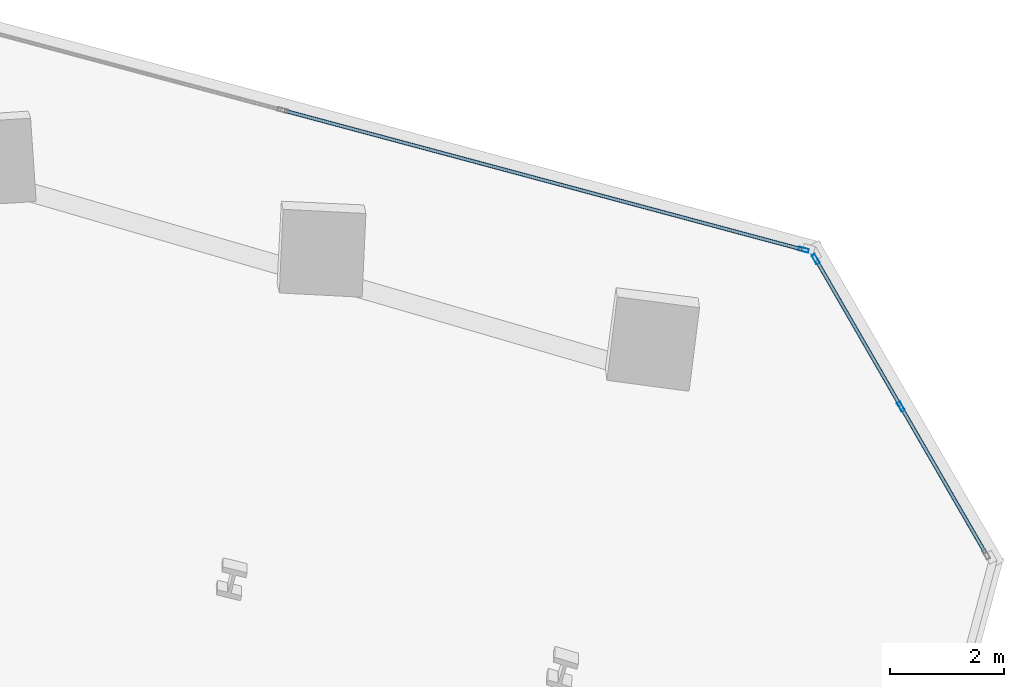
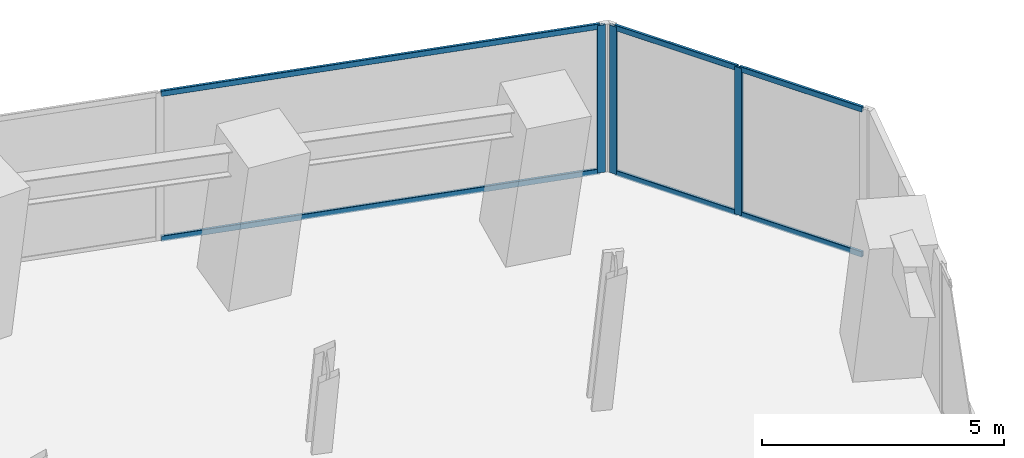
# One storey, part 11 of 26: 9 members, 2 elements without a shape of their own.
"""IFC4 building model written with IfcOpenShell, lengths in metres."""

from ifc_helpers import new_model, si_unit, direction, frame, origin, origin_2d, place, context, subcontext, project, spatial, hollow_rectangle, extrude, source, transform, mapped, material, material_profile, profile_set, type_object, element, aggregate, save


model = new_model("IFC4")

# Units and contexts
model_context = context("Model", 3, precision=1e-05, world=origin(), true_north=direction((0.0, 1.0)))
body_context = subcontext(model_context, "Body", "Model", "MODEL_VIEW")
ifc_project = project(units=[si_unit("LENGTHUNIT", "METRE"), si_unit("AREAUNIT", "SQUARE_METRE"), si_unit("VOLUMEUNIT", "CUBIC_METRE"), si_unit("PLANEANGLEUNIT", "RADIAN"), si_unit("MASSUNIT", "GRAM", prefix="KILO")], contexts=[model_context])

# Site, building, storey
site_placement = place(None, origin())
site = spatial("IfcSite", under=ifc_project, at=site_placement, CompositionType="ELEMENT")
building_placement = place(site_placement, origin())
building = spatial("IfcBuilding", under=site, at=building_placement, Name="Torre Montelarca", CompositionType="ELEMENT")
storey_placement = place(building_placement, frame((0.0, 0.0, 104.199951171875)))
storey = spatial("IfcBuildingStorey", under=building, at=storey_placement, Name="L23", CompositionType="ELEMENT", Elevation=104.199951171875)

# Curtain wall, members
ifc_material_1 = material(Name="Insulated low-E laminated glass", Category="glass")
curtain_wall_type = type_object("IfcCurtainWallType", Name="CW-SYS-Z1", PredefinedType="USERDEFINED", material=ifc_material_1)
curtain_wall_1_placement = place(storey_placement, origin())
curtain_wall_1 = element("IfcCurtainWall", 1, at=curtain_wall_1_placement, inside=storey, type_object=curtain_wall_type, Name="L23 Curtain Wall Run CW-T3-L23-E07-B1", ObjectType="UNITISED GLAZING", PredefinedType="USERDEFINED")
ifc_material_2 = material(Name="Anodised aluminium AA 6063-T6", Category="aluminium")
ifc_material_profile_1 = material_profile(ifc_material_2, hollow_rectangle(XDim=0.06494140625, YDim=0.139892578125, WallThickness=0.00390625, InnerFilletRadius=0.00390625, OuterFilletRadius=0.008056640625, at=origin_2d()), Name="ALU65X140X4", Category="aluminium")
ifc_profile_set_1 = profile_set([ifc_material_profile_1], Name="Anodised aluminium AA 6063-T6")
member_type_1 = type_object("IfcMemberType", Name="CWT-ALU140", PredefinedType="USERDEFINED", material=ifc_profile_set_1)
shared_shape_1 = source(origin(), body_context, "Body", "SweptSolid", [
    extrude(hollow_rectangle(XDim=0.06494140625, YDim=0.139892578125, WallThickness=0.00390625, InnerFilletRadius=0.00390625, OuterFilletRadius=0.008056640625, at=origin_2d()), origin(), (0.0, 0.0, 1.0), 2.918701171875),
])
member_1_placement = place(storey_placement, frame((60.865966796875, 35.82275390625, 0.032470703125), z_axis=(-0.500043453909, 0.866000314205, 0.0), x_axis=(-0.866000314205, -0.500043453909, 0.0)))
member_1 = element("IfcMember", 2, at=member_1_placement, type_object=member_type_1, Name="CW transom 2.1", ObjectType="TRANSOM", PredefinedType="USERDEFINED", context=body_context, shape_type="MappedRepresentation", body=[
    mapped(shared_shape_1, transform((0.0, 0.0, 0.0), scale=1.0)),
])
member_2_placement = place(storey_placement, frame((60.865966796875, 35.82275390625, 3.6875), z_axis=(-0.500043453909, 0.866000314205, 0.0), x_axis=(-0.866000314205, -0.500043453909, 0.0)))
member_2 = element("IfcMember", 3, at=member_2_placement, type_object=member_type_1, Name="CW transom 2.2", ObjectType="TRANSOM", PredefinedType="USERDEFINED", context=body_context, shape_type="MappedRepresentation", body=[
    mapped(shared_shape_1, transform((0.0, 0.0, 0.0), scale=1.0)),
])
shared_shape_2 = source(origin(), body_context, "Body", "SweptSolid", [
    extrude(hollow_rectangle(XDim=0.06494140625, YDim=0.139892578125, WallThickness=0.00390625, InnerFilletRadius=0.00390625, OuterFilletRadius=0.008056640625, at=origin_2d()), origin(), (0.0, 0.0, 1.0), 2.91845703125),
])
member_3_placement = place(storey_placement, frame((62.357666015625, 33.23876953125, 0.032470703125), z_axis=(-0.499980718146, 0.866036535882, 0.0), x_axis=(-0.866036535882, -0.499980718146, 0.0)))
member_3 = element("IfcMember", 4, at=member_3_placement, type_object=member_type_1, Name="CW transom 1.1", ObjectType="TRANSOM", PredefinedType="USERDEFINED", context=body_context, shape_type="MappedRepresentation", body=[
    mapped(shared_shape_2, transform((0.0, 0.0, 0.0), scale=1.0)),
])
member_4_placement = place(storey_placement, frame((62.357666015625, 33.23876953125, 3.6875), z_axis=(-0.499980718146, 0.866036535882, 0.0), x_axis=(-0.866036535882, -0.499980718146, 0.0)))
member_4 = element("IfcMember", 5, at=member_4_placement, type_object=member_type_1, Name="CW transom 1.2", ObjectType="TRANSOM", PredefinedType="USERDEFINED", context=body_context, shape_type="MappedRepresentation", body=[
    mapped(shared_shape_2, transform((0.0, 0.0, 0.0), scale=1.0)),
])

curtain_wall_2_placement = place(storey_placement, origin())
curtain_wall_2 = element("IfcCurtainWall", 6, at=curtain_wall_2_placement, inside=storey, type_object=curtain_wall_type, Name="L23 Curtain Wall Run CW-T3-L23-E08-B1", ObjectType="UNITISED GLAZING", PredefinedType="USERDEFINED")
shared_shape_3 = source(origin(), body_context, "Body", "SweptSolid", [
    extrude(hollow_rectangle(XDim=0.06494140625, YDim=0.139892578125, WallThickness=0.00390625, InnerFilletRadius=0.00390625, OuterFilletRadius=0.008056640625, at=origin_2d()), origin(), (0.0, 0.0, 1.0), 9.372802734375),
])
member_5_placement = place(storey_placement, frame((59.14697265625, 38.54931640625, 0.032470703125), z_axis=(-0.965921657922, 0.258834601159, 0.0), x_axis=(-0.258834601159, -0.965921657922, 0.0)))
member_5 = element("IfcMember", 7, at=member_5_placement, type_object=member_type_1, Name="CW transom 1.1", ObjectType="TRANSOM", PredefinedType="USERDEFINED", context=body_context, shape_type="MappedRepresentation", body=[
    mapped(shared_shape_3, transform((0.0, 0.0, 0.0), scale=1.0)),
])
member_6_placement = place(storey_placement, frame((59.14697265625, 38.54931640625, 3.6875), z_axis=(-0.965921657922, 0.258834601159, 0.0), x_axis=(-0.258834601159, -0.965921657922, 0.0)))
member_6 = element("IfcMember", 8, at=member_6_placement, type_object=member_type_1, Name="CW transom 1.2", ObjectType="TRANSOM", PredefinedType="USERDEFINED", context=body_context, shape_type="MappedRepresentation", body=[
    mapped(shared_shape_3, transform((0.0, 0.0, 0.0), scale=1.0)),
])

# Member
ifc_material_profile_2 = material_profile(ifc_material_2, hollow_rectangle(XDim=0.06494140625, YDim=0.179931640625, WallThickness=0.00390625, InnerFilletRadius=0.00390625, OuterFilletRadius=0.008056640625, at=origin_2d()), Name="ALU65X180X4", Category="aluminium")
ifc_profile_set_2 = profile_set([ifc_material_profile_2], Name="Anodised aluminium AA 6063-T6")
member_type_2 = type_object("IfcMemberType", Name="CWM-ALU180", PredefinedType="MULLION", material=ifc_profile_set_2)
shared_shape_4 = source(origin(), body_context, "Body", "SweptSolid", [
    extrude(hollow_rectangle(XDim=0.06494140625, YDim=0.179931640625, WallThickness=0.00390625, InnerFilletRadius=0.00390625, OuterFilletRadius=0.008056640625, at=origin_2d()), origin(), (0.0, 0.0, 1.0), 3.719970703125),
])
member_7_placement = place(storey_placement, frame((60.882080078125, 35.79443359375, 0.0), z_axis=(0.0, 0.0, 1.0), x_axis=(-0.866020776749, -0.500008014176, 0.0)))
member_7 = element("IfcMember", 9, at=member_7_placement, type_object=member_type_2, Name="CW mullion 2", PredefinedType="MULLION", context=body_context, shape_type="MappedRepresentation", body=[
    mapped(shared_shape_4, transform((0.0, 0.0, 0.0), scale=1.0)),
])

member_8_placement = place(storey_placement, frame((59.39013671875, 38.37841796875, 0.0), z_axis=(0.0, 0.0, 1.0), x_axis=(-0.866020776749, -0.500008014176, 0.0)))
member_8 = element("IfcMember", 10, at=member_8_placement, type_object=member_type_2, Name="CW mullion 3", PredefinedType="MULLION", context=body_context, shape_type="MappedRepresentation", body=[
    mapped(shared_shape_4, transform((0.0, 0.0, 0.0), scale=1.0)),
])

aggregate(curtain_wall_1, [member_7, member_8, member_3, member_4, member_1, member_2])

member_9_placement = place(storey_placement, frame((59.178466796875, 38.541015625, 0.0), z_axis=(0.0, 0.0, 1.0), x_axis=(-0.258819830038, -0.965925615966, 0.0)))
member_9 = element("IfcMember", 11, at=member_9_placement, type_object=member_type_2, Name="CW mullion 1", PredefinedType="MULLION", context=body_context, shape_type="MappedRepresentation", body=[
    mapped(shared_shape_4, transform((0.0, 0.0, 0.0), scale=1.0)),
])

aggregate(curtain_wall_2, [member_9, member_5, member_6])

save(model, "model.ifc")
